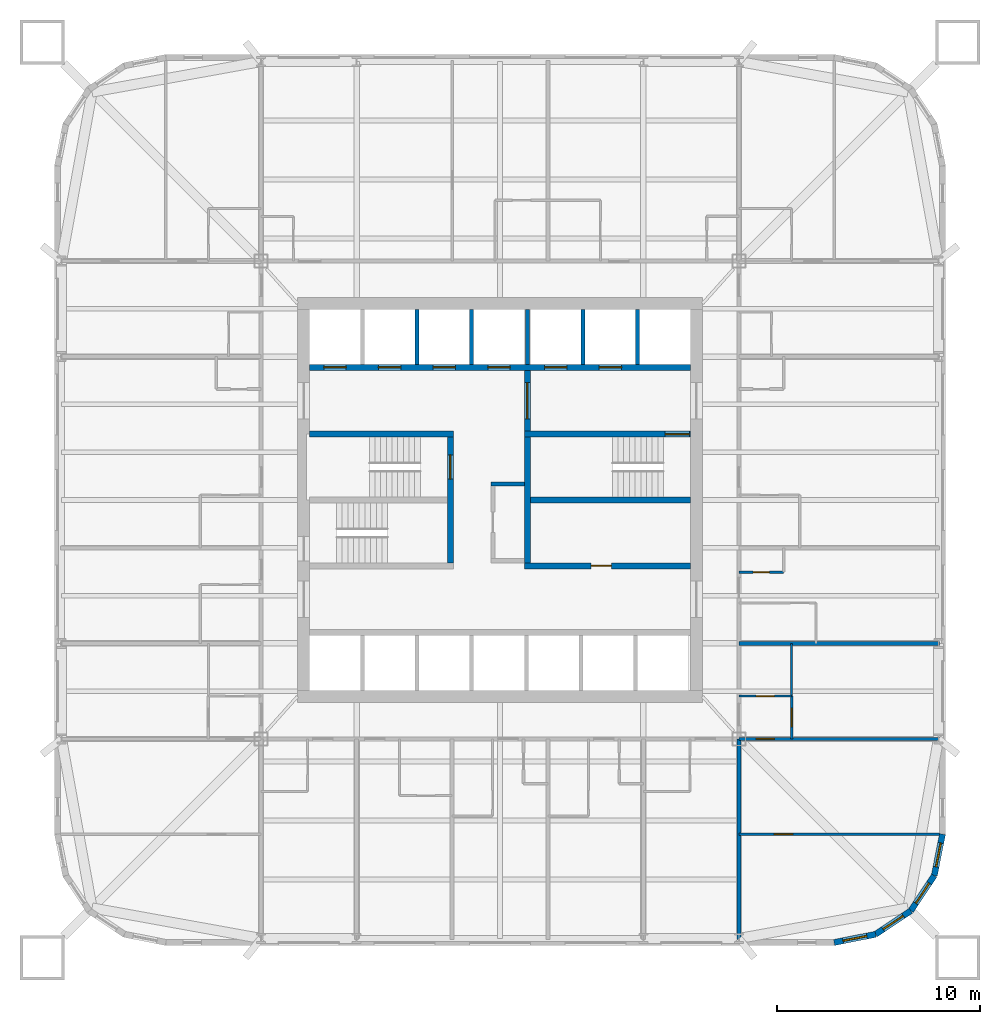
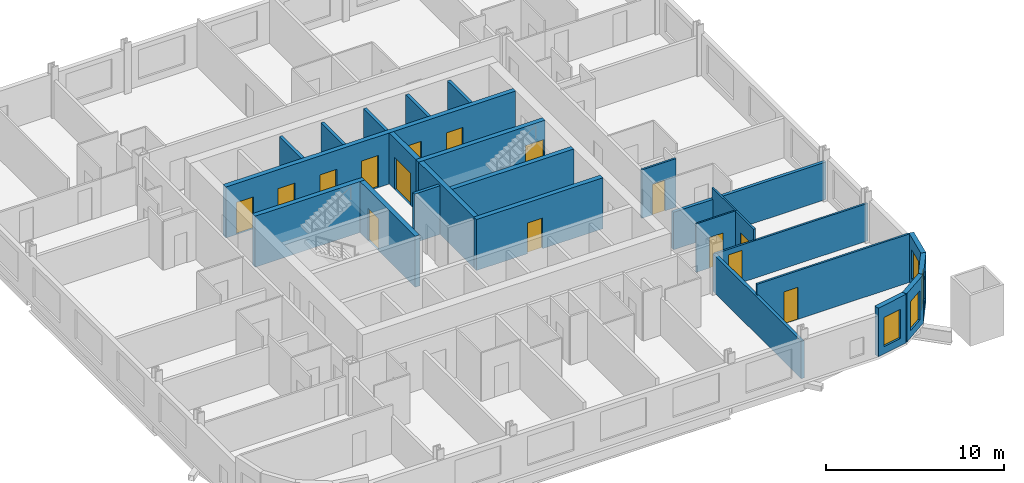
# One storey, part 5 of 9: 25 walls, 15 doors, 4 windows, 19 openings.
"""IFC4 building model written with IfcOpenShell, lengths in metres."""

from ifc_helpers import new_model, si_unit, direction, frame, frame_2d, origin, place, context, subcontext, project, spatial, rectangle, extrude, material, layer, layer_set, type_object, element, fill, save


model = new_model("IFC4")

# Units and contexts
model_context = context("Model", 3, precision=1e-05, world=origin(), true_north=direction((0.0, 1.0)))
body_context = subcontext(model_context, "Body", "Model", "MODEL_VIEW")
ifc_project = project(units=[si_unit("LENGTHUNIT", "METRE"), si_unit("AREAUNIT", "SQUARE_METRE"), si_unit("VOLUMEUNIT", "CUBIC_METRE"), si_unit("PLANEANGLEUNIT", "RADIAN"), si_unit("MASSUNIT", "GRAM", prefix="KILO")], contexts=[model_context])

# Site, building, storey
site_placement = place(None, origin())
site = spatial("IfcSite", under=ifc_project, at=site_placement, CompositionType="ELEMENT")
building_placement = place(site_placement, origin())
building = spatial("IfcBuilding", under=site, at=building_placement, Name="Turquesa Mirador Hotel Tower", CompositionType="ELEMENT")
storey_placement = place(building_placement, frame((0.0, 0.0, 74.0)))
storey = spatial("IfcBuildingStorey", under=building, at=storey_placement, Name="L19", CompositionType="ELEMENT", Elevation=74.0)

# Wall, opening, door
ifc_material_1 = material(Name="Gypsum board on steel studs", Category="steel")
ifc_layer_1 = layer(ifc_material_1, 0.10009765625)
ifc_layer_set_1 = layer_set([ifc_layer_1], Name="BATHROOM WALL 100")
wall_type_1 = type_object("IfcWallType", Name="BATHROOM WALL 100", PredefinedType="PARTITIONING", material=ifc_layer_set_1)
wall_1_placement = place(storey_placement, frame((66.800048828125, 35.320068359375, 0.0), z_axis=(0.0, 0.0, 1.0), x_axis=(1.0, 0.0, 0.0)))
wall_1 = element("IfcWall", 1, at=wall_1_placement, inside=storey, type_object=wall_type_1, Name="Partition L19 021", PredefinedType="PARTITIONING", context=body_context, shape_type="SweptSolid", body=[
    extrude(rectangle(XDim=2.599853515625, YDim=0.10009765625, at=frame_2d((1.2998046875, 0.0))), origin(), (0.0, 0.0, 1.0), 3.330078125),
])
opening_1_placement = place(wall_1_placement, frame((0.85009765625, 0.0, 0.0)))
opening_1 = element("IfcOpeningElement", 2, at=opening_1_placement, cuts=wall_1, Name="Opening D02", PredefinedType="OPENING", context=body_context, shape_type="SweptSolid", body=[
    extrude(rectangle(XDim=0.89990234375, YDim=2.10009765625, at=frame_2d((0.449951171875, 1.050048828125))), frame((0.0, 0.06005859375, 0.0), z_axis=(0.0, -1.0, 0.0), x_axis=(1.0, 0.0, 0.0)), (0.0, 0.0, 1.0), 0.1201171875),
])
ifc_material_2 = material(Name="Timber veneered door", Category="wood")
door_type_1 = type_object("IfcDoorType", Name="DOOR 900X2100 EN-SUITE", OperationType="SINGLE_SWING_RIGHT", PredefinedType="DOOR", material=ifc_material_2)
door_1_placement = place(opening_1_placement, origin())
door_1 = element("IfcDoor", 3, at=door_1_placement, inside=storey, type_object=door_type_1, Name="Door 1915B", OperationType="SINGLE_SWING_RIGHT", OverallHeight=2.10009765625, OverallWidth=0.89990234375, PredefinedType="DOOR", context=body_context, shape_type="SweptSolid", body=[
    extrude(rectangle(XDim=0.89990234375, YDim=2.10009765625, at=frame_2d((0.449951171875, 1.050048828125))), frame((0.0, 0.02490234375, 0.0), z_axis=(0.0, -1.0, 0.0), x_axis=(1.0, 0.0, 0.0)), (0.0, 0.0, 1.0), 0.050048828125),
])
fill(opening_1, door_1)

# Wall
wall_2_placement = place(storey_placement, frame((69.39990234375, 35.320068359375, 0.0), z_axis=(0.0, 0.0, 1.0), x_axis=(0.0, 1.0, 0.0)))
element("IfcWall", 4, at=wall_2_placement, inside=storey, type_object=wall_type_1, Name="Partition L19 067", PredefinedType="PARTITIONING", context=body_context, shape_type="SweptSolid", body=[
    extrude(rectangle(XDim=2.599853515625, YDim=0.10009765625, at=frame_2d((1.2998046875, 0.0))), origin(), (0.0, 0.0, 1.0), 3.330078125),
])

# Wall, openings, doors
ifc_material_3 = material(Name="Concrete C50/60", Category="concrete")
ifc_layer_2 = layer(ifc_material_3, 0.300048828125)
ifc_layer_set_2 = layer_set([ifc_layer_2], Name="CORE INNER WALL 300")
wall_type_2 = type_object("IfcWallType", Name="CORE INNER WALL 300", PredefinedType="SHEAR", material=ifc_layer_set_2)
wall_3_placement = place(storey_placement, frame((45.60009765625, 51.550048828125, 0.0), z_axis=(0.0, 0.0, 1.0), x_axis=(1.0, 0.0, 0.0)))
wall_3 = element("IfcWall", 5, at=wall_3_placement, inside=storey, type_object=wall_type_2, Name="Core wall NL", PredefinedType="SHEAR", context=body_context, shape_type="SweptSolid", body=[
    extrude(rectangle(XDim=18.7998046875, YDim=0.300048828125, at=frame_2d((9.39990234375, 0.0))), origin(), (0.0, 0.0, 1.0), 3.5),
])
opening_2_placement = place(wall_3_placement, frame((0.699951171875, 0.0, 0.0)))
opening_2 = element("IfcOpeningElement", 6, at=opening_2_placement, cuts=wall_3, Name="Opening LD", PredefinedType="OPENING", context=body_context, shape_type="SweptSolid", body=[
    extrude(rectangle(XDim=1.10009765625, YDim=2.199951171875, at=frame_2d((0.550048828125, 1.10009765625))), frame((0.0, 0.159912109375, 0.0), z_axis=(0.0, -1.0, 0.0), x_axis=(1.0, 0.0, 0.0)), (0.0, 0.0, 1.0), 0.320068359375),
])
opening_3_placement = place(wall_3_placement, frame((3.39990234375, 0.0, 0.0)))
opening_3 = element("IfcOpeningElement", 7, at=opening_3_placement, cuts=wall_3, Name="Opening LD", PredefinedType="OPENING", context=body_context, shape_type="SweptSolid", body=[
    extrude(rectangle(XDim=1.10009765625, YDim=2.199951171875, at=frame_2d((0.550048828125, 1.10009765625))), frame((0.0, 0.159912109375, 0.0), z_axis=(0.0, -1.0, 0.0), x_axis=(1.0, 0.0, 0.0)), (0.0, 0.0, 1.0), 0.320068359375),
])
opening_4_placement = place(wall_3_placement, frame((6.10009765625, 0.0, 0.0)))
opening_4 = element("IfcOpeningElement", 8, at=opening_4_placement, cuts=wall_3, Name="Opening LD", PredefinedType="OPENING", context=body_context, shape_type="SweptSolid", body=[
    extrude(rectangle(XDim=1.10009765625, YDim=2.199951171875, at=frame_2d((0.550048828125, 1.10009765625))), frame((0.0, 0.159912109375, 0.0), z_axis=(0.0, -1.0, 0.0), x_axis=(1.0, 0.0, 0.0)), (0.0, 0.0, 1.0), 0.320068359375),
])
opening_5_placement = place(wall_3_placement, frame((8.800048828125, 0.0, 0.0)))
opening_5 = element("IfcOpeningElement", 9, at=opening_5_placement, cuts=wall_3, Name="Opening LD", PredefinedType="OPENING", context=body_context, shape_type="SweptSolid", body=[
    extrude(rectangle(XDim=1.10009765625, YDim=2.199951171875, at=frame_2d((0.550048828125, 1.10009765625))), frame((0.0, 0.159912109375, 0.0), z_axis=(0.0, -1.0, 0.0), x_axis=(1.0, 0.0, 0.0)), (0.0, 0.0, 1.0), 0.320068359375),
])
opening_6_placement = place(wall_3_placement, frame((11.60009765625, 0.0, 0.0)))
opening_6 = element("IfcOpeningElement", 10, at=opening_6_placement, cuts=wall_3, Name="Opening LD", PredefinedType="OPENING", context=body_context, shape_type="SweptSolid", body=[
    extrude(rectangle(XDim=1.10009765625, YDim=2.199951171875, at=frame_2d((0.550048828125, 1.10009765625))), frame((0.0, 0.159912109375, 0.0), z_axis=(0.0, -1.0, 0.0), x_axis=(1.0, 0.0, 0.0)), (0.0, 0.0, 1.0), 0.320068359375),
])
opening_7_placement = place(wall_3_placement, frame((14.300048828125, 0.0, 0.0)))
opening_7 = element("IfcOpeningElement", 11, at=opening_7_placement, cuts=wall_3, Name="Opening LD", PredefinedType="OPENING", context=body_context, shape_type="SweptSolid", body=[
    extrude(rectangle(XDim=1.10009765625, YDim=2.199951171875, at=frame_2d((0.550048828125, 1.10009765625))), frame((0.0, 0.159912109375, 0.0), z_axis=(0.0, -1.0, 0.0), x_axis=(1.0, 0.0, 0.0)), (0.0, 0.0, 1.0), 0.320068359375),
])
ifc_material_4 = material(Name="Stainless steel lift landing door", Category="steel")
door_type_2 = type_object("IfcDoorType", Name="LIFT LANDING DOOR 1100X2200", OperationType="SLIDING_TO_LEFT", PredefinedType="DOOR", material=ifc_material_4)
door_2_placement = place(opening_2_placement, origin())
door_2 = element("IfcDoor", 12, at=door_2_placement, inside=storey, type_object=door_type_2, Name="Lift A1 landing door", OperationType="SLIDING_TO_LEFT", OverallHeight=2.199951171875, OverallWidth=1.10009765625, PredefinedType="DOOR", context=body_context, shape_type="SweptSolid", body=[
    extrude(rectangle(XDim=1.10009765625, YDim=2.199951171875, at=frame_2d((0.550048828125, 1.10009765625))), frame((0.0, 0.02490234375, 0.0), z_axis=(0.0, -1.0, 0.0), x_axis=(1.0, 0.0, 0.0)), (0.0, 0.0, 1.0), 0.050048828125),
])
fill(opening_2, door_2)
door_3_placement = place(opening_3_placement, origin())
door_3 = element("IfcDoor", 13, at=door_3_placement, inside=storey, type_object=door_type_2, Name="Lift A2 landing door", OperationType="SLIDING_TO_LEFT", OverallHeight=2.199951171875, OverallWidth=1.10009765625, PredefinedType="DOOR", context=body_context, shape_type="SweptSolid", body=[
    extrude(rectangle(XDim=1.10009765625, YDim=2.199951171875, at=frame_2d((0.550048828125, 1.10009765625))), frame((0.0, 0.02490234375, 0.0), z_axis=(0.0, -1.0, 0.0), x_axis=(1.0, 0.0, 0.0)), (0.0, 0.0, 1.0), 0.050048828125),
])
fill(opening_3, door_3)
door_4_placement = place(opening_4_placement, origin())
door_4 = element("IfcDoor", 14, at=door_4_placement, inside=storey, type_object=door_type_2, Name="Lift A3 landing door", OperationType="SLIDING_TO_LEFT", OverallHeight=2.199951171875, OverallWidth=1.10009765625, PredefinedType="DOOR", context=body_context, shape_type="SweptSolid", body=[
    extrude(rectangle(XDim=1.10009765625, YDim=2.199951171875, at=frame_2d((0.550048828125, 1.10009765625))), frame((0.0, 0.02490234375, 0.0), z_axis=(0.0, -1.0, 0.0), x_axis=(1.0, 0.0, 0.0)), (0.0, 0.0, 1.0), 0.050048828125),
])
fill(opening_4, door_4)
door_5_placement = place(opening_5_placement, origin())
door_5 = element("IfcDoor", 15, at=door_5_placement, inside=storey, type_object=door_type_2, Name="Lift A4 landing door", OperationType="SLIDING_TO_LEFT", OverallHeight=2.199951171875, OverallWidth=1.10009765625, PredefinedType="DOOR", context=body_context, shape_type="SweptSolid", body=[
    extrude(rectangle(XDim=1.10009765625, YDim=2.199951171875, at=frame_2d((0.550048828125, 1.10009765625))), frame((0.0, 0.02490234375, 0.0), z_axis=(0.0, -1.0, 0.0), x_axis=(1.0, 0.0, 0.0)), (0.0, 0.0, 1.0), 0.050048828125),
])
fill(opening_5, door_5)
door_6_placement = place(opening_6_placement, origin())
door_6 = element("IfcDoor", 16, at=door_6_placement, inside=storey, type_object=door_type_2, Name="Lift S1 landing door", OperationType="SLIDING_TO_LEFT", OverallHeight=2.199951171875, OverallWidth=1.10009765625, PredefinedType="DOOR", context=body_context, shape_type="SweptSolid", body=[
    extrude(rectangle(XDim=1.10009765625, YDim=2.199951171875, at=frame_2d((0.550048828125, 1.10009765625))), frame((0.0, 0.02490234375, 0.0), z_axis=(0.0, -1.0, 0.0), x_axis=(1.0, 0.0, 0.0)), (0.0, 0.0, 1.0), 0.050048828125),
])
fill(opening_6, door_6)
door_7_placement = place(opening_7_placement, origin())
door_7 = element("IfcDoor", 17, at=door_7_placement, inside=storey, type_object=door_type_2, Name="Lift S2 landing door", OperationType="SLIDING_TO_LEFT", OverallHeight=2.199951171875, OverallWidth=1.10009765625, PredefinedType="DOOR", context=body_context, shape_type="SweptSolid", body=[
    extrude(rectangle(XDim=1.10009765625, YDim=2.199951171875, at=frame_2d((0.550048828125, 1.10009765625))), frame((0.0, 0.02490234375, 0.0), z_axis=(0.0, -1.0, 0.0), x_axis=(1.0, 0.0, 0.0)), (0.0, 0.0, 1.0), 0.050048828125),
])
fill(opening_7, door_7)

# Wall
wall_4_placement = place(storey_placement, frame((45.60009765625, 48.25, 0.0), z_axis=(0.0, 0.0, 1.0), x_axis=(1.0, 0.0, 0.0)))
element("IfcWall", 18, at=wall_4_placement, inside=storey, type_object=wall_type_2, Name="Core wall MN-W", PredefinedType="SHEAR", context=body_context, shape_type="SweptSolid", body=[
    extrude(rectangle(XDim=7.099853515625, YDim=0.300048828125, at=frame_2d((3.5498046875, 0.0))), origin(), (0.0, 0.0, 1.0), 3.5),
])

# Wall, opening, door
wall_5_placement = place(storey_placement, frame((56.199951171875, 48.25, 0.0), z_axis=(0.0, 0.0, 1.0), x_axis=(1.0, 0.0, 0.0)))
wall_5 = element("IfcWall", 19, at=wall_5_placement, inside=storey, type_object=wall_type_2, Name="Core wall MN-E", PredefinedType="SHEAR", context=body_context, shape_type="SweptSolid", body=[
    extrude(rectangle(XDim=8.199951171875, YDim=0.300048828125, at=frame_2d((4.10009765625, 0.0))), origin(), (0.0, 0.0, 1.0), 3.5),
])
opening_8_placement = place(wall_5_placement, frame((6.949951171875, 0.0, 0.0)))
opening_8 = element("IfcOpeningElement", 20, at=opening_8_placement, cuts=wall_5, Name="Opening D03", PredefinedType="OPENING", context=body_context, shape_type="SweptSolid", body=[
    extrude(rectangle(XDim=1.199951171875, YDim=2.199951171875, at=frame_2d((0.60009765625, 1.10009765625))), frame((0.0, 0.159912109375, 0.0), z_axis=(0.0, -1.0, 0.0), x_axis=(1.0, 0.0, 0.0)), (0.0, 0.0, 1.0), 0.320068359375),
])
ifc_material_5 = material(Name="Steel fire door", Category="steel")
door_type_3 = type_object("IfcDoorType", Name="DOOR 1200X2200 STAIR", OperationType="SINGLE_SWING_LEFT", PredefinedType="DOOR", material=ifc_material_5)
door_8_placement = place(opening_8_placement, origin())
door_8 = element("IfcDoor", 21, at=door_8_placement, inside=storey, type_object=door_type_3, Name="Stair ST3 door", OperationType="SINGLE_SWING_LEFT", OverallHeight=2.199951171875, OverallWidth=1.199951171875, PredefinedType="DOOR", context=body_context, shape_type="SweptSolid", body=[
    extrude(rectangle(XDim=1.199951171875, YDim=2.199951171875, at=frame_2d((0.60009765625, 1.10009765625))), frame((0.0, 0.02490234375, 0.0), z_axis=(0.0, -1.0, 0.0), x_axis=(1.0, 0.0, 0.0)), (0.0, 0.0, 1.0), 0.050048828125),
])
fill(opening_8, door_8)

wall_6_placement = place(storey_placement, frame((56.199951171875, 41.75, 0.0), z_axis=(0.0, 0.0, 1.0), x_axis=(1.0, 0.0, 0.0)))
wall_6 = element("IfcWall", 22, at=wall_6_placement, inside=storey, type_object=wall_type_2, Name="Core wall MS-E", PredefinedType="SHEAR", context=body_context, shape_type="SweptSolid", body=[
    extrude(rectangle(XDim=8.199951171875, YDim=0.300048828125, at=frame_2d((4.10009765625, 0.0))), origin(), (0.0, 0.0, 1.0), 3.5),
])
opening_9_placement = place(wall_6_placement, frame((3.300048828125, 0.0, 0.0)))
opening_9 = element("IfcOpeningElement", 23, at=opening_9_placement, cuts=wall_6, Name="Opening D05", PredefinedType="OPENING", context=body_context, shape_type="SweptSolid", body=[
    extrude(rectangle(XDim=1.0, YDim=2.10009765625, at=frame_2d((0.5, 1.050048828125))), frame((0.0, 0.159912109375, 0.0), z_axis=(0.0, -1.0, 0.0), x_axis=(1.0, 0.0, 0.0)), (0.0, 0.0, 1.0), 0.320068359375),
])
ifc_material_6 = material(Name="Steel fire door", Category="steel")
door_type_4 = type_object("IfcDoorType", Name="DOOR 1000X2100 SERVICE", OperationType="SINGLE_SWING_LEFT", PredefinedType="DOOR", material=ifc_material_6)
door_9_placement = place(opening_9_placement, origin())
door_9 = element("IfcDoor", 24, at=door_9_placement, inside=storey, type_object=door_type_4, Name="Housekeeping room door", OperationType="SINGLE_SWING_LEFT", OverallHeight=2.10009765625, OverallWidth=1.0, PredefinedType="DOOR", context=body_context, shape_type="SweptSolid", body=[
    extrude(rectangle(XDim=1.0, YDim=2.10009765625, at=frame_2d((0.5, 1.050048828125))), frame((0.0, 0.02490234375, 0.0), z_axis=(0.0, -1.0, 0.0), x_axis=(1.0, 0.0, 0.0)), (0.0, 0.0, 1.0), 0.050048828125),
])
fill(opening_9, door_9)

wall_7_placement = place(storey_placement, frame((52.550048828125, 41.89990234375, 0.0), z_axis=(0.0, 0.0, 1.0), x_axis=(0.0, 1.0, 0.0)))
wall_7 = element("IfcWall", 25, at=wall_7_placement, inside=storey, type_object=wall_type_2, Name="Core wall PW", PredefinedType="SHEAR", context=body_context, shape_type="SweptSolid", body=[
    extrude(rectangle(XDim=6.2001953125, YDim=0.300048828125, at=frame_2d((3.10009765625, 0.0))), origin(), (0.0, 0.0, 1.0), 3.5),
])
opening_10_placement = place(wall_7_placement, frame((4.125, 0.0, 0.0)))
opening_10 = element("IfcOpeningElement", 26, at=opening_10_placement, cuts=wall_7, Name="Opening D03", PredefinedType="OPENING", context=body_context, shape_type="SweptSolid", body=[
    extrude(rectangle(XDim=1.199951171875, YDim=2.199951171875, at=frame_2d((0.60009765625, 1.10009765625))), frame((0.0, 0.159912109375, 0.0), z_axis=(0.0, -1.0, 0.0), x_axis=(1.0, 0.0, 0.0)), (0.0, 0.0, 1.0), 0.320068359375),
])
door_10_placement = place(opening_10_placement, origin())
door_10 = element("IfcDoor", 27, at=door_10_placement, inside=storey, type_object=door_type_3, Name="Stair ST1 door", OperationType="SINGLE_SWING_LEFT", OverallHeight=2.199951171875, OverallWidth=1.199951171875, PredefinedType="DOOR", context=body_context, shape_type="SweptSolid", body=[
    extrude(rectangle(XDim=1.199951171875, YDim=2.199951171875, at=frame_2d((0.60009765625, 1.10009765625))), frame((0.0, 0.02490234375, 0.0), z_axis=(0.0, -1.0, 0.0), x_axis=(1.0, 0.0, 0.0)), (0.0, 0.0, 1.0), 0.050048828125),
])
fill(opening_10, door_10)

wall_8_placement = place(storey_placement, frame((56.35009765625, 41.89990234375, 0.0), z_axis=(0.0, 0.0, 1.0), x_axis=(0.0, 1.0, 0.0)))
wall_8 = element("IfcWall", 28, at=wall_8_placement, inside=storey, type_object=wall_type_2, Name="Core wall PE", PredefinedType="SHEAR", context=body_context, shape_type="SweptSolid", body=[
    extrude(rectangle(XDim=9.5, YDim=0.300048828125, at=frame_2d((4.75, 0.0))), origin(), (0.0, 0.0, 1.0), 3.5),
])
opening_11_placement = place(wall_8_placement, frame((7.10009765625, 0.0, 0.0)))
opening_11 = element("IfcOpeningElement", 29, at=opening_11_placement, cuts=wall_8, Name="Opening D04", PredefinedType="OPENING", context=body_context, shape_type="SweptSolid", body=[
    extrude(rectangle(XDim=1.800048828125, YDim=2.199951171875, at=frame_2d((0.89990234375, 1.10009765625))), frame((0.0, 0.159912109375, 0.0), z_axis=(0.0, -1.0, 0.0), x_axis=(1.0, 0.0, 0.0)), (0.0, 0.0, 1.0), 0.320068359375),
])
ifc_material_7 = material(Name="Steel fire door pair", Category="steel")
door_type_5 = type_object("IfcDoorType", Name="DOOR 1800X2200 PAIR", OperationType="DOUBLE_DOOR_SINGLE_SWING", PredefinedType="DOOR", material=ifc_material_7)
door_11_placement = place(opening_11_placement, origin())
door_11 = element("IfcDoor", 30, at=door_11_placement, inside=storey, type_object=door_type_5, Name="Firefighting lobby inner door", OperationType="DOUBLE_DOOR_SINGLE_SWING", OverallHeight=2.199951171875, OverallWidth=1.800048828125, PredefinedType="DOOR", context=body_context, shape_type="SweptSolid", body=[
    extrude(rectangle(XDim=1.800048828125, YDim=2.199951171875, at=frame_2d((0.89990234375, 1.10009765625))), frame((0.0, 0.02490234375, 0.0), z_axis=(0.0, -1.0, 0.0), x_axis=(1.0, 0.0, 0.0)), (0.0, 0.0, 1.0), 0.050048828125),
])
fill(opening_11, door_11)

# Wall
wall_9_placement = place(storey_placement, frame((56.5, 45.0, 0.0), z_axis=(0.0, 0.0, 1.0), x_axis=(1.0, 0.0, 0.0)))
element("IfcWall", 31, at=wall_9_placement, inside=storey, type_object=wall_type_2, Name="Core wall M0-E", PredefinedType="SHEAR", context=body_context, shape_type="SweptSolid", body=[
    extrude(rectangle(XDim=7.89990234375, YDim=0.300048828125, at=frame_2d((3.949951171875, 0.0))), origin(), (0.0, 0.0, 1.0), 3.5),
])

# Wall, opening, window
ifc_material_8 = material(Name="Limestone cladding on concrete block", Category="masonry")
ifc_layer_3 = layer(ifc_material_8, 0.300048828125)
ifc_layer_set_3 = layer_set([ifc_layer_3], Name="FACADE WALL 300 STONE SCREEN")
wall_type_3 = type_object("IfcWallType", Name="FACADE WALL 300 STONE SCREEN", PredefinedType="SOLIDWALL", material=ifc_layer_set_3)
wall_10_placement = place(storey_placement, frame((71.5, 23.14990234375, 0.0), z_axis=(0.0, 0.0, 1.0), x_axis=(0.980787050784, 0.195081421501, 0.0)))
wall_10 = element("IfcWall", 32, at=wall_10_placement, inside=storey, type_object=wall_type_3, Name="Facade wall L19 00", PredefinedType="SOLIDWALL", context=body_context, shape_type="SweptSolid", body=[
    extrude(rectangle(XDim=2.08740234375, YDim=0.300048828125, at=frame_2d((1.043701171875, 0.0))), origin(), (0.0, 0.0, 1.0), 3.330078125),
])
opening_12_placement = place(wall_10_placement, frame((0.443603515625, 0.0, 0.5)))
opening_12 = element("IfcOpeningElement", 33, at=opening_12_placement, cuts=wall_10, Name="Opening WN4", PredefinedType="OPENING", context=body_context, shape_type="SweptSolid", body=[
    extrude(rectangle(XDim=1.199951171875, YDim=2.0, at=frame_2d((0.60009765625, 1.0))), frame((0.0, 0.159912109375, 0.0), z_axis=(0.0, -1.0, 0.0), x_axis=(1.0, 0.0, 0.0)), (0.0, 0.0, 1.0), 0.320068359375),
])
ifc_material_9 = material(Name="Ceramic-fritted laminated glass", Category="glass")
window_type = type_object("IfcWindowType", Name="FRITTED CORNER WINDOW 1200X2000", PartitioningType="DOUBLE_PANEL_HORIZONTAL", PredefinedType="WINDOW", material=ifc_material_9)
window_1_placement = place(opening_12_placement, origin())
window_1 = element("IfcWindow", 34, at=window_1_placement, inside=storey, type_object=window_type, Name="Window L19", OverallHeight=2.0, OverallWidth=1.199951171875, PartitioningType="SINGLE_PANEL", PredefinedType="WINDOW", context=body_context, shape_type="SweptSolid", body=[
    extrude(rectangle(XDim=1.199951171875, YDim=2.0, at=frame_2d((0.60009765625, 1.0))), frame((0.0, 0.030029296875, 0.0), z_axis=(0.0, -1.0, 0.0), x_axis=(1.0, 0.0, 0.0)), (0.0, 0.0, 1.0), 0.06005859375),
])
fill(opening_12, window_1)

wall_11_placement = place(storey_placement, frame((73.54736328125, 23.55712890625, 0.0), z_axis=(0.0, 0.0, 1.0), x_axis=(0.831420010345, 0.555644460423, 0.0)))
wall_11 = element("IfcWall", 35, at=wall_11_placement, inside=storey, type_object=wall_type_3, Name="Facade wall L19 01", PredefinedType="SOLIDWALL", context=body_context, shape_type="SweptSolid", body=[
    extrude(rectangle(XDim=2.08740234375, YDim=0.300048828125, at=frame_2d((1.043701171875, 0.0))), origin(), (0.0, 0.0, 1.0), 3.330078125),
])
opening_13_placement = place(wall_11_placement, frame((0.443603515625, 0.0, 0.5)))
opening_13 = element("IfcOpeningElement", 36, at=opening_13_placement, cuts=wall_11, Name="Opening WN4", PredefinedType="OPENING", context=body_context, shape_type="SweptSolid", body=[
    extrude(rectangle(XDim=1.199951171875, YDim=2.0, at=frame_2d((0.60009765625, 1.0))), frame((0.0, 0.159912109375, 0.0), z_axis=(0.0, -1.0, 0.0), x_axis=(1.0, 0.0, 0.0)), (0.0, 0.0, 1.0), 0.320068359375),
])
window_2_placement = place(opening_13_placement, origin())
window_2 = element("IfcWindow", 37, at=window_2_placement, inside=storey, type_object=window_type, Name="Window L19", OverallHeight=2.0, OverallWidth=1.199951171875, PartitioningType="SINGLE_PANEL", PredefinedType="WINDOW", context=body_context, shape_type="SweptSolid", body=[
    extrude(rectangle(XDim=1.199951171875, YDim=2.0, at=frame_2d((0.60009765625, 1.0))), frame((0.0, 0.030029296875, 0.0), z_axis=(0.0, -1.0, 0.0), x_axis=(1.0, 0.0, 0.0)), (0.0, 0.0, 1.0), 0.06005859375),
])
fill(opening_13, window_2)

wall_12_placement = place(storey_placement, frame((75.282958984375, 24.717041015625, 0.0), z_axis=(0.0, 0.0, 1.0), x_axis=(0.555644460423, 0.831420010345, 0.0)))
wall_12 = element("IfcWall", 38, at=wall_12_placement, inside=storey, type_object=wall_type_3, Name="Facade wall L19 02", PredefinedType="SOLIDWALL", context=body_context, shape_type="SweptSolid", body=[
    extrude(rectangle(XDim=2.08740234375, YDim=0.300048828125, at=frame_2d((1.043701171875, 0.0))), origin(), (0.0, 0.0, 1.0), 3.330078125),
])
opening_14_placement = place(wall_12_placement, frame((0.443603515625, 0.0, 0.5)))
opening_14 = element("IfcOpeningElement", 39, at=opening_14_placement, cuts=wall_12, Name="Opening WN4", PredefinedType="OPENING", context=body_context, shape_type="SweptSolid", body=[
    extrude(rectangle(XDim=1.199951171875, YDim=2.0, at=frame_2d((0.60009765625, 1.0))), frame((0.0, 0.159912109375, 0.0), z_axis=(0.0, -1.0, 0.0), x_axis=(1.0, 0.0, 0.0)), (0.0, 0.0, 1.0), 0.320068359375),
])
window_3_placement = place(opening_14_placement, origin())
window_3 = element("IfcWindow", 40, at=window_3_placement, inside=storey, type_object=window_type, Name="Window L19", OverallHeight=2.0, OverallWidth=1.199951171875, PartitioningType="SINGLE_PANEL", PredefinedType="WINDOW", context=body_context, shape_type="SweptSolid", body=[
    extrude(rectangle(XDim=1.199951171875, YDim=2.0, at=frame_2d((0.60009765625, 1.0))), frame((0.0, 0.030029296875, 0.0), z_axis=(0.0, -1.0, 0.0), x_axis=(1.0, 0.0, 0.0)), (0.0, 0.0, 1.0), 0.06005859375),
])
fill(opening_14, window_3)

wall_13_placement = place(storey_placement, frame((76.44287109375, 26.45263671875, 0.0), z_axis=(0.0, 0.0, 1.0), x_axis=(0.195081421501, 0.980787050784, 0.0)))
wall_13 = element("IfcWall", 41, at=wall_13_placement, inside=storey, type_object=wall_type_3, Name="Facade wall L19 03", PredefinedType="SOLIDWALL", context=body_context, shape_type="SweptSolid", body=[
    extrude(rectangle(XDim=2.08740234375, YDim=0.300048828125, at=frame_2d((1.043701171875, 0.0))), origin(), (0.0, 0.0, 1.0), 3.330078125),
])
opening_15_placement = place(wall_13_placement, frame((0.443603515625, 0.0, 0.5)))
opening_15 = element("IfcOpeningElement", 42, at=opening_15_placement, cuts=wall_13, Name="Opening WN4", PredefinedType="OPENING", context=body_context, shape_type="SweptSolid", body=[
    extrude(rectangle(XDim=1.199951171875, YDim=2.0, at=frame_2d((0.60009765625, 1.0))), frame((0.0, 0.159912109375, 0.0), z_axis=(0.0, -1.0, 0.0), x_axis=(1.0, 0.0, 0.0)), (0.0, 0.0, 1.0), 0.320068359375),
])
window_4_placement = place(opening_15_placement, origin())
window_4 = element("IfcWindow", 43, at=window_4_placement, inside=storey, type_object=window_type, Name="Window L19", OverallHeight=2.0, OverallWidth=1.199951171875, PartitioningType="SINGLE_PANEL", PredefinedType="WINDOW", context=body_context, shape_type="SweptSolid", body=[
    extrude(rectangle(XDim=1.199951171875, YDim=2.0, at=frame_2d((0.60009765625, 1.0))), frame((0.0, 0.030029296875, 0.0), z_axis=(0.0, -1.0, 0.0), x_axis=(1.0, 0.0, 0.0)), (0.0, 0.0, 1.0), 0.06005859375),
])
fill(opening_15, window_4)

# Walls
ifc_material_10 = material(Name="Fire-rated gypsum board on steel studs", Category="steel")
ifc_layer_4 = layer(ifc_material_10, 0.199951171875)
ifc_layer_set_4 = layer_set([ifc_layer_4], Name="FIRE PARTITION 200")
wall_type_4 = type_object("IfcWallType", Name="FIRE PARTITION 200", PredefinedType="PARTITIONING", material=ifc_layer_set_4)
wall_14_placement = place(storey_placement, frame((54.550048828125, 45.800048828125, 0.0), z_axis=(0.0, 0.0, 1.0), x_axis=(1.0, 0.0, 0.0)))
element("IfcWall", 44, at=wall_14_placement, inside=storey, type_object=wall_type_4, Name="Partition L19 RR N", PredefinedType="PARTITIONING", context=body_context, shape_type="SweptSolid", body=[
    extrude(rectangle(XDim=1.64990234375, YDim=0.199951171875, at=frame_2d((0.824951171875, 0.0))), origin(), (0.0, 0.0, 1.0), 3.330078125),
])
ifc_material_11 = material(Name="Fire-rated gypsum shaft wall on steel studs", Category="steel")
ifc_layer_5 = layer(ifc_material_11, 0.199951171875)
ifc_layer_set_5 = layer_set([ifc_layer_5], Name="LIFT SHAFT DIVIDER 200")
wall_type_5 = type_object("IfcWallType", Name="LIFT SHAFT DIVIDER 200", PredefinedType="PARTITIONING", material=ifc_layer_set_5)
for number, where, z_axis, x_axis, name in (
    (45, (50.89990234375, 51.699951171875, 0.0), (0.0, 0.0, 1.0), (0.0, 1.0, 0.0), "Lift shaft divider"),
    (46, (53.60009765625, 51.699951171875, 0.0), (0.0, 0.0, 1.0), (0.0, 1.0, 0.0), "Lift shaft divider"),
    (47, (59.10009765625, 51.699951171875, 0.0), (0.0, 0.0, 1.0), (0.0, 1.0, 0.0), "Lift shaft divider"),
    (48, (61.800048828125, 51.699951171875, 0.0), (0.0, 0.0, 1.0), (0.0, 1.0, 0.0), "Lift shaft divider"),
    (49, (56.35009765625, 51.699951171875, 0.0), (0.0, 0.0, 1.0), (0.0, 1.0, 0.0), "Lift shaft divider"),
):
    element("IfcWall", number, at=place(storey_placement, frame(where, z_axis=z_axis, x_axis=x_axis)), inside=storey, type_object=wall_type_5, Name=name, PredefinedType="PARTITIONING", context=body_context, shape_type="SweptSolid", body=[
        extrude(rectangle(XDim=2.699951171875, YDim=0.199951171875, at=frame_2d((1.35009765625, 0.0))), origin(), (0.0, 0.0, 1.0), 3.330078125),
    ])
ifc_material_12 = material(Name="Fire-rated gypsum board on steel studs", Category="steel")
ifc_layer_6 = layer(ifc_material_12, 0.199951171875)
ifc_layer_set_6 = layer_set([ifc_layer_6], Name="PARTY WALL 200")
wall_type_6 = type_object("IfcWallType", Name="PARTY WALL 200", PredefinedType="PARTITIONING", material=ifc_layer_set_6)
for number, where, z_axis, x_axis, name in (
    (50, (66.800048828125, 37.919921875, 0.0), (0.0, 0.0, 1.0), (1.0, 0.0, 0.0), "Partition L19 019"),
    (51, (66.800048828125, 23.300048828125, 0.0), (0.0, 0.0, 1.0), (0.0, 1.0, 0.0), "Partition L19 062"),
):
    element("IfcWall", number, at=place(storey_placement, frame(where, z_axis=z_axis, x_axis=x_axis)), inside=storey, type_object=wall_type_6, Name=name, PredefinedType="PARTITIONING", context=body_context, shape_type="SweptSolid", body=[
        extrude(rectangle(XDim=9.89990234375, YDim=0.199951171875, at=frame_2d((4.949951171875, 0.0))), origin(), (0.0, 0.0, 1.0), 2.572998046875),
    ])

# Wall, opening, door
ifc_material_13 = material(Name="Acoustic gypsum board on steel studs", Category="steel")
ifc_layer_7 = layer(ifc_material_13, 0.125)
ifc_layer_set_7 = layer_set([ifc_layer_7], Name="SUITE PARTITION 125")
wall_type_7 = type_object("IfcWallType", Name="SUITE PARTITION 125", PredefinedType="PARTITIONING", material=ifc_layer_set_7)
wall_15_placement = place(storey_placement, frame((66.800048828125, 33.199951171875, 0.0), z_axis=(0.0, 0.0, 1.0), x_axis=(1.0, 0.0, 0.0)))
wall_15 = element("IfcWall", 52, at=wall_15_placement, inside=storey, type_object=wall_type_7, Name="Partition L19 003", PredefinedType="PARTITIONING", context=body_context, shape_type="SweptSolid", body=[
    extrude(rectangle(XDim=9.89990234375, YDim=0.125, at=frame_2d((4.949951171875, 0.0))), origin(), (0.0, 0.0, 1.0), 2.572998046875),
])
opening_16_placement = place(wall_15_placement, frame((0.85009765625, 0.0, 0.0)))
opening_16 = element("IfcOpeningElement", 53, at=opening_16_placement, cuts=wall_15, Name="Opening D17", PredefinedType="OPENING", context=body_context, shape_type="SweptSolid", body=[
    extrude(rectangle(XDim=0.89990234375, YDim=2.199951171875, at=frame_2d((0.449951171875, 1.10009765625))), frame((0.0, 0.072509765625, 0.0), z_axis=(0.0, -1.0, 0.0), x_axis=(1.0, 0.0, 0.0)), (0.0, 0.0, 1.0), 0.14501953125),
])
ifc_material_14 = material(Name="Timber veneered door", Category="wood")
door_type_6 = type_object("IfcDoorType", Name="DOOR 900X2200 SUITE INTERNAL", OperationType="SINGLE_SWING_LEFT", PredefinedType="DOOR", material=ifc_material_14)
door_12_placement = place(opening_16_placement, origin())
door_12 = element("IfcDoor", 54, at=door_12_placement, inside=storey, type_object=door_type_6, Name="Door 1915", OperationType="SINGLE_SWING_LEFT", OverallHeight=2.199951171875, OverallWidth=0.89990234375, PredefinedType="DOOR", context=body_context, shape_type="SweptSolid", body=[
    extrude(rectangle(XDim=0.89990234375, YDim=2.199951171875, at=frame_2d((0.449951171875, 1.10009765625))), frame((0.0, 0.02490234375, 0.0), z_axis=(0.0, -1.0, 0.0), x_axis=(1.0, 0.0, 0.0)), (0.0, 0.0, 1.0), 0.050048828125),
])
fill(opening_16, door_12)

wall_16_placement = place(storey_placement, frame((66.800048828125, 28.5, 0.0), z_axis=(0.0, 0.0, 1.0), x_axis=(1.0, 0.0, 0.0)))
wall_16 = element("IfcWall", 55, at=wall_16_placement, inside=storey, type_object=wall_type_7, Name="Partition L19 012", PredefinedType="PARTITIONING", context=body_context, shape_type="SweptSolid", body=[
    extrude(rectangle(XDim=9.89404296875, YDim=0.125, at=frame_2d((4.947021484375, 0.0))), origin(), (0.0, 0.0, 1.0), 3.330078125),
])
opening_17_placement = place(wall_16_placement, frame((1.75, 0.0, 0.0)))
opening_17 = element("IfcOpeningElement", 56, at=opening_17_placement, cuts=wall_16, Name="Opening D17", PredefinedType="OPENING", context=body_context, shape_type="SweptSolid", body=[
    extrude(rectangle(XDim=0.89990234375, YDim=2.199951171875, at=frame_2d((0.449951171875, 1.10009765625))), frame((0.0, 0.072509765625, 0.0), z_axis=(0.0, -1.0, 0.0), x_axis=(1.0, 0.0, 0.0)), (0.0, 0.0, 1.0), 0.14501953125),
])
door_13_placement = place(opening_17_placement, origin())
door_13 = element("IfcDoor", 57, at=door_13_placement, inside=storey, type_object=door_type_6, Name="Door 1915M", OperationType="SINGLE_SWING_LEFT", OverallHeight=2.199951171875, OverallWidth=0.89990234375, PredefinedType="DOOR", context=body_context, shape_type="SweptSolid", body=[
    extrude(rectangle(XDim=0.89990234375, YDim=2.199951171875, at=frame_2d((0.449951171875, 1.10009765625))), frame((0.0, 0.02490234375, 0.0), z_axis=(0.0, -1.0, 0.0), x_axis=(1.0, 0.0, 0.0)), (0.0, 0.0, 1.0), 0.050048828125),
])
fill(opening_17, door_13)

wall_17_placement = place(storey_placement, frame((66.800048828125, 41.43994140625, 0.0), z_axis=(0.0, 0.0, 1.0), x_axis=(1.0, 0.0, 0.0)))
wall_17 = element("IfcWall", 58, at=wall_17_placement, inside=storey, type_object=wall_type_7, Name="Partition L19 015", PredefinedType="PARTITIONING", context=body_context, shape_type="SweptSolid", body=[
    extrude(rectangle(XDim=2.199951171875, YDim=0.125, at=frame_2d((1.10009765625, 0.0))), origin(), (0.0, 0.0, 1.0), 3.330078125),
])
opening_18_placement = place(wall_17_placement, frame((0.699951171875, 0.0, 0.0)))
opening_18 = element("IfcOpeningElement", 59, at=opening_18_placement, cuts=wall_17, Name="Opening D20", PredefinedType="OPENING", context=body_context, shape_type="SweptSolid", body=[
    extrude(rectangle(XDim=0.800048828125, YDim=2.10009765625, at=frame_2d((0.39990234375, 1.050048828125))), frame((0.0, 0.072509765625, 0.0), z_axis=(0.0, -1.0, 0.0), x_axis=(1.0, 0.0, 0.0)), (0.0, 0.0, 1.0), 0.14501953125),
])
ifc_material_15 = material(Name="Timber veneered sliding door", Category="wood")
door_type_7 = type_object("IfcDoorType", Name="DOOR 800X2100 WARDROBE", OperationType="SLIDING_TO_LEFT", PredefinedType="DOOR", material=ifc_material_15)
door_14_placement = place(opening_18_placement, origin())
door_14 = element("IfcDoor", 60, at=door_14_placement, inside=storey, type_object=door_type_7, Name="Door 1908W", OperationType="SLIDING_TO_LEFT", OverallHeight=2.10009765625, OverallWidth=0.800048828125, PredefinedType="DOOR", context=body_context, shape_type="SweptSolid", body=[
    extrude(rectangle(XDim=0.800048828125, YDim=2.10009765625, at=frame_2d((0.39990234375, 1.050048828125))), frame((0.0, 0.02490234375, 0.0), z_axis=(0.0, -1.0, 0.0), x_axis=(1.0, 0.0, 0.0)), (0.0, 0.0, 1.0), 0.050048828125),
])
fill(opening_18, door_14)

wall_18_placement = place(storey_placement, frame((69.39990234375, 33.199951171875, 0.0), z_axis=(0.0, 0.0, 1.0), x_axis=(0.0, 1.0, 0.0)))
wall_18 = element("IfcWall", 61, at=wall_18_placement, inside=storey, type_object=wall_type_7, Name="Partition L19 069", PredefinedType="PARTITIONING", context=body_context, shape_type="SweptSolid", body=[
    extrude(rectangle(XDim=2.1201171875, YDim=0.125, at=frame_2d((1.06005859375, 0.0))), origin(), (0.0, 0.0, 1.0), 3.330078125),
])
opening_19_placement = place(wall_18_placement, frame((0.610107421875, 0.0, 0.0)))
opening_19 = element("IfcOpeningElement", 62, at=opening_19_placement, cuts=wall_18, Name="Opening D17", PredefinedType="OPENING", context=body_context, shape_type="SweptSolid", body=[
    extrude(rectangle(XDim=0.89990234375, YDim=2.199951171875, at=frame_2d((0.449951171875, 1.10009765625))), frame((0.0, 0.072509765625, 0.0), z_axis=(0.0, -1.0, 0.0), x_axis=(1.0, 0.0, 0.0)), (0.0, 0.0, 1.0), 0.14501953125),
])
door_15_placement = place(opening_19_placement, origin())
door_15 = element("IfcDoor", 63, at=door_15_placement, inside=storey, type_object=door_type_6, Name="Door 1915R", OperationType="SINGLE_SWING_LEFT", OverallHeight=2.199951171875, OverallWidth=0.89990234375, PredefinedType="DOOR", context=body_context, shape_type="SweptSolid", body=[
    extrude(rectangle(XDim=0.89990234375, YDim=2.199951171875, at=frame_2d((0.449951171875, 1.10009765625))), frame((0.0, 0.02490234375, 0.0), z_axis=(0.0, -1.0, 0.0), x_axis=(1.0, 0.0, 0.0)), (0.0, 0.0, 1.0), 0.050048828125),
])
fill(opening_19, door_15)

save(model, "model.ifc")
